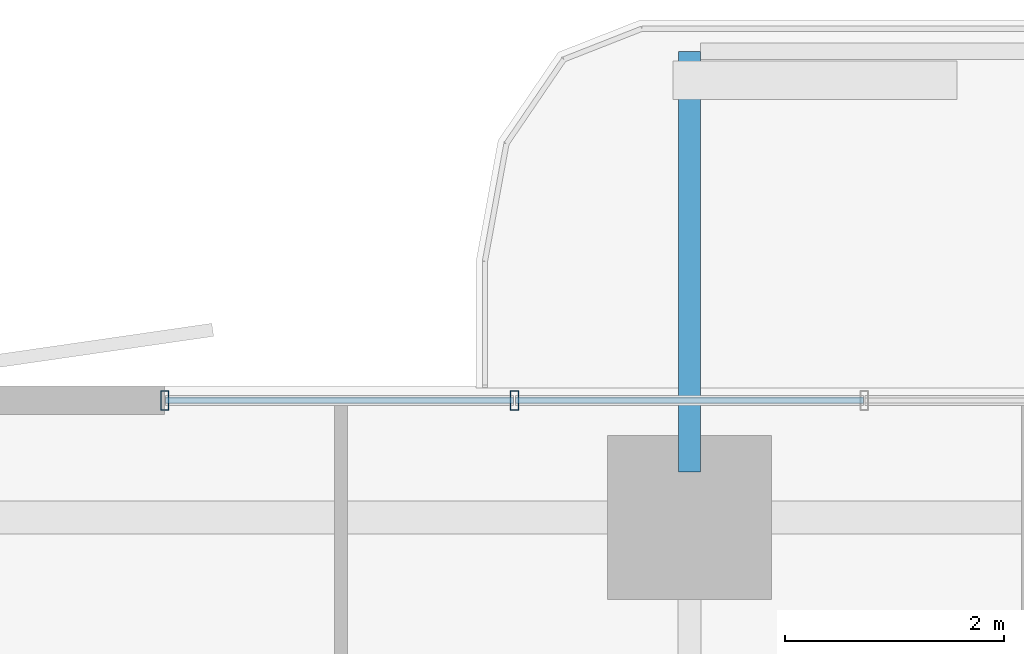
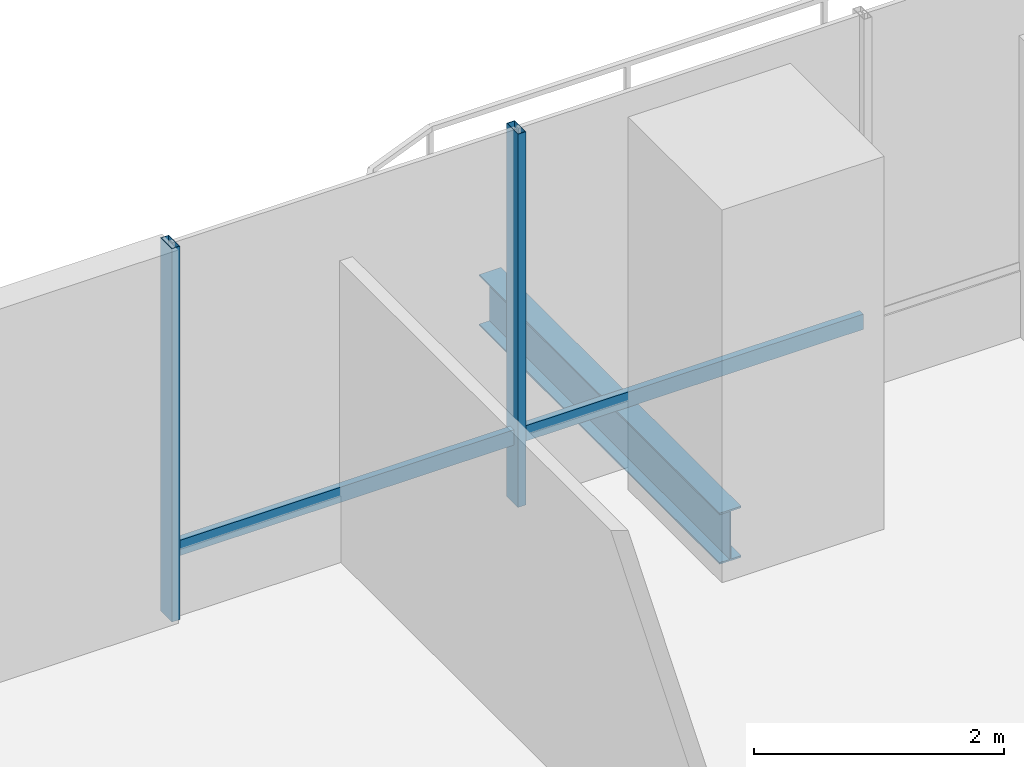
# One storey, part 11 of 23: 4 members, 1 beam, 1 element without a shape of its own.
"""IFC4 building model written with IfcOpenShell, lengths in metres."""

from ifc_helpers import new_model, si_unit, direction, frame, origin, origin_2d, place, context, subcontext, project, spatial, hollow_rectangle, i_section, extrude, material, layer, layer_set, material_profile, profile_set, type_object, element, aggregate, save


model = new_model("IFC4")

# Units and contexts
model_context = context("Model", 3, precision=1e-05, world=origin(), true_north=direction((0.0, 1.0)))
body_context = subcontext(model_context, "Body", "Model", "MODEL_VIEW")
ifc_project = project(units=[si_unit("LENGTHUNIT", "METRE"), si_unit("AREAUNIT", "SQUARE_METRE"), si_unit("VOLUMEUNIT", "CUBIC_METRE"), si_unit("PLANEANGLEUNIT", "RADIAN"), si_unit("MASSUNIT", "GRAM", prefix="KILO")], contexts=[model_context])

# Site, building, storey
site_placement = place(None, origin())
site = spatial("IfcSite", under=ifc_project, at=site_placement, CompositionType="ELEMENT")
building_placement = place(site_placement, origin())
building = spatial("IfcBuilding", under=site, at=building_placement, Name="Belovzor Exchange Tower", CompositionType="ELEMENT")
storey_placement = place(building_placement, frame((0.0, 0.0, 100.199951171875)))
storey = spatial("IfcBuildingStorey", under=building, at=storey_placement, Name="L24", CompositionType="ELEMENT", Elevation=100.199951171875)

# Beam
ifc_material_1 = material(Name="Steel S355", Category="steel")
ifc_material_profile_1 = material_profile(ifc_material_1, i_section(OverallWidth=0.199951171875, OverallDepth=0.5, WebThickness=0.01025390625, FlangeThickness=0.01611328125, at=origin_2d()))
ifc_profile_set_1 = profile_set([ifc_material_profile_1], Name="Steel S355")
beam_type = type_object("IfcBeamType", Name="Planted Balcony Cantilever Beam IPE 500", PredefinedType="BEAM", material=ifc_profile_set_1)
beam_placement = place(storey_placement, frame((28.800048828125, 55.9130859375, -0.5), z_axis=(0.0, 1.0, 0.0), x_axis=(-1.0, 0.0, 0.0)))
element("IfcBeam", 1, at=beam_placement, inside=storey, type_object=beam_type, Name="BC-500 Planted Balcony Cantilever Beam IPE 500", PredefinedType="BEAM", context=body_context, shape_type="SweptSolid", body=[
    extrude(i_section(OverallWidth=0.199951171875, OverallDepth=0.5, WebThickness=0.01025390625, FlangeThickness=0.01611328125, at=origin_2d()), origin(), (0.0, 0.0, 1.0), 3.849853515625),
])

# Curtain wall, members
ifc_material_2 = material(Name="Anodised Aluminium Framing", Category="aluminium")
ifc_layer = layer(ifc_material_2, 0.179931640625)
ifc_layer_set = layer_set([ifc_layer], Name="Anodised Aluminium Framing")
curtain_wall_type = type_object("IfcCurtainWallType", Name="Recessed Loggia Low-Iron Triple-Glazed Curtain Wall", PredefinedType="NOTDEFINED", material=ifc_layer_set)
curtain_wall_placement = place(storey_placement, origin())
curtain_wall = element("IfcCurtainWall", 2, at=curtain_wall_placement, inside=storey, type_object=curtain_wall_type, Name="CW3 Recessed Loggia Low-Iron Triple-Glazed Curtain Wall L24", PredefinedType="NOTDEFINED")
ifc_material_3 = material(Name="Steel S355", Category="steel")
ifc_material_profile_2 = material_profile(ifc_material_3, hollow_rectangle(XDim=0.074951171875, YDim=0.179931640625, WallThickness=0.0048828125, at=origin_2d()))
ifc_profile_set_2 = profile_set([ifc_material_profile_2], Name="Steel S355")
member_type_1 = type_object("IfcMemberType", Name="Thermally Broken Curtain Wall Mullion 180x75", PredefinedType="MULLION", material=ifc_profile_set_2)
member_1_placement = place(storey_placement, frame((24.0, 56.570068359375, 0.0), z_axis=(0.0, 0.0, 1.0), x_axis=(1.0, 0.0, 0.0)))
member_1 = element("IfcMember", 3, at=member_1_placement, type_object=member_type_1, Name="CW-M180 Curtain Wall Mullion 1", PredefinedType="MULLION", context=body_context, shape_type="SweptSolid", body=[
    extrude(hollow_rectangle(XDim=0.074951171875, YDim=0.179931640625, WallThickness=0.0048828125, at=origin_2d()), origin(), (0.0, 0.0, 1.0), 3.650146484375),
])
member_2_placement = place(storey_placement, frame((27.199951171875, 56.570068359375, 0.0), z_axis=(0.0, 0.0, 1.0), x_axis=(1.0, 0.0, 0.0)))
member_2 = element("IfcMember", 4, at=member_2_placement, type_object=member_type_1, Name="CW-M180 Curtain Wall Mullion 2", PredefinedType="MULLION", context=body_context, shape_type="SweptSolid", body=[
    extrude(hollow_rectangle(XDim=0.074951171875, YDim=0.179931640625, WallThickness=0.0048828125, at=origin_2d()), origin(), (0.0, 0.0, 1.0), 3.650146484375),
])
ifc_material_4 = material(Name="Steel S355", Category="steel")
ifc_material_profile_3 = material_profile(ifc_material_4, hollow_rectangle(XDim=0.06005859375, YDim=0.14990234375, WallThickness=0.00390625, at=origin_2d()))
ifc_profile_set_3 = profile_set([ifc_material_profile_3], Name="Steel S355")
member_type_2 = type_object("IfcMemberType", Name="Thermally Broken Curtain Wall Transom 150x60", PredefinedType="USERDEFINED", material=ifc_profile_set_3)
member_3_placement = place(storey_placement, frame((24.008056640625, 56.570068359375, 0.650146484375), z_axis=(1.0, 0.0, 0.0), x_axis=(0.0, 1.0, 0.0)))
member_3 = element("IfcMember", 5, at=member_3_placement, type_object=member_type_2, Name="CW-T150 Curtain Wall Transom 1", ObjectType="TRANSOM", PredefinedType="USERDEFINED", context=body_context, shape_type="SweptSolid", body=[
    extrude(hollow_rectangle(XDim=0.06005859375, YDim=0.14990234375, WallThickness=0.00390625, at=origin_2d()), origin(), (0.0, 0.0, 1.0), 3.183837890625),
])
member_4_placement = place(storey_placement, frame((27.2080078125, 56.570068359375, 0.650146484375), z_axis=(1.0, 0.0, 0.0), x_axis=(0.0, 1.0, 0.0)))
member_4 = element("IfcMember", 6, at=member_4_placement, type_object=member_type_2, Name="CW-T150 Curtain Wall Transom 2", ObjectType="TRANSOM", PredefinedType="USERDEFINED", context=body_context, shape_type="SweptSolid", body=[
    extrude(hollow_rectangle(XDim=0.06005859375, YDim=0.14990234375, WallThickness=0.00390625, at=origin_2d()), origin(), (0.0, 0.0, 1.0), 3.18408203125),
])
aggregate(curtain_wall, [member_1, member_2, member_3, member_4])

save(model, "model.ifc")
